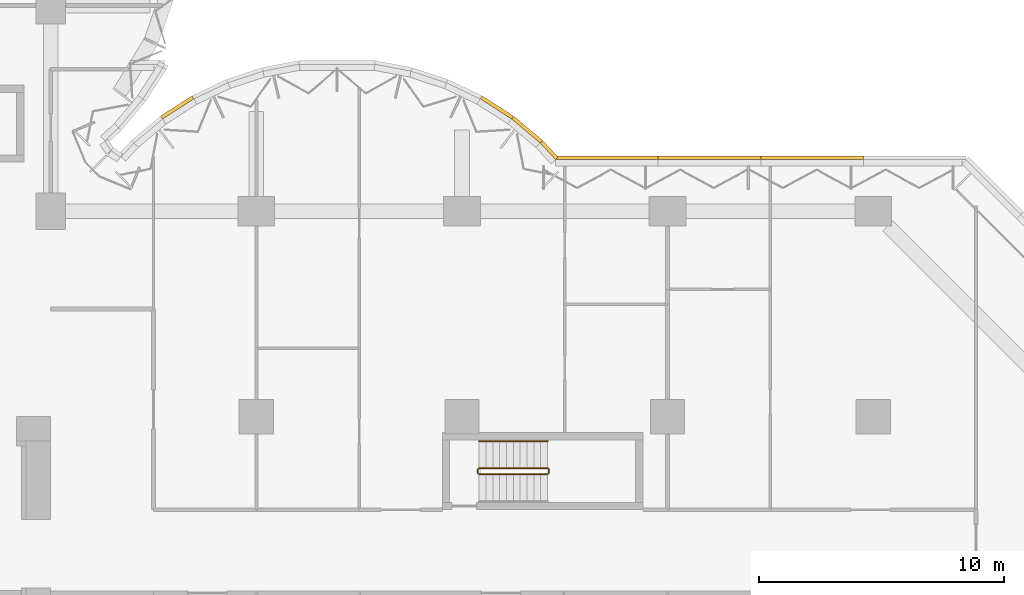
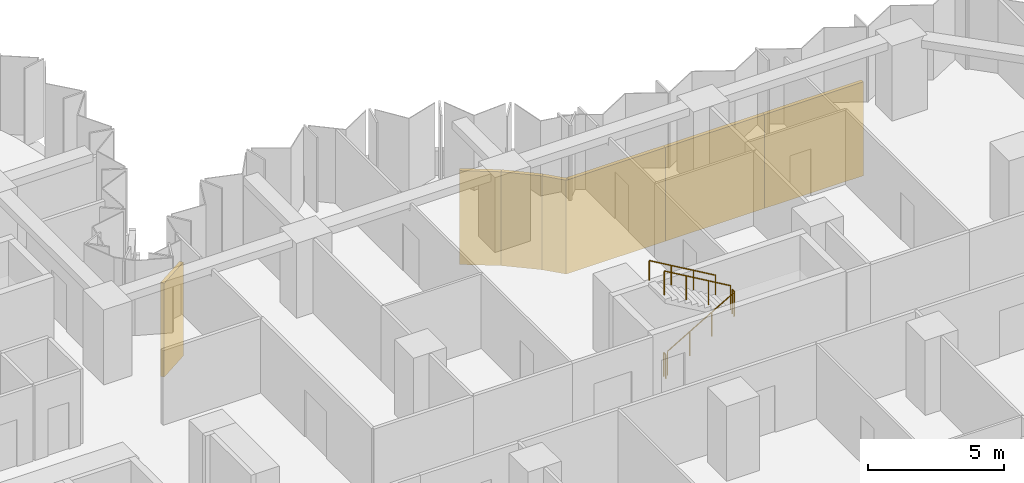
# One storey, part 21 of 24: 7 coverings, 5 railings.
"""IFC4 building model written with IfcOpenShell, lengths in metres."""

from ifc_helpers import new_model, si_unit, direction, frame, origin, origin_2d, place, context, subcontext, project, spatial, polyline, circle, outline, extrude, material, layer, layer_set, type_object, element, save


model = new_model("IFC4")

# Units and contexts
model_context = context("Model", 3, precision=1e-05, world=origin(), true_north=direction((0.0, 1.0)))
body_context = subcontext(model_context, "Body", "Model", "MODEL_VIEW")
ifc_project = project(units=[si_unit("LENGTHUNIT", "METRE"), si_unit("AREAUNIT", "SQUARE_METRE"), si_unit("VOLUMEUNIT", "CUBIC_METRE"), si_unit("PLANEANGLEUNIT", "RADIAN"), si_unit("MASSUNIT", "GRAM", prefix="KILO")], contexts=[model_context])

# Site, building, storey
site_placement = place(None, origin())
site = spatial("IfcSite", under=ifc_project, at=site_placement, CompositionType="ELEMENT")
building_placement = place(site_placement, origin())
building = spatial("IfcBuilding", under=site, at=building_placement, Name="Brevane Broadcast Tower", CompositionType="ELEMENT")
storey_placement = place(building_placement, frame((0.0, 0.0, 36.5)))
storey = spatial("IfcBuildingStorey", under=building, at=storey_placement, Name="L06", CompositionType="ELEMENT", Elevation=36.5)

# Coverings
ifc_material_1 = material(Name="Precast concrete C40/50", Category="concrete")
ifc_layer = layer(ifc_material_1, 0.14990234375)
ifc_layer_set = layer_set([ifc_layer], Name="CORNICE FASCIA CLADDING 4200")
covering_type = type_object("IfcCoveringType", Name="CORNICE FASCIA CLADDING 4200", PredefinedType="CLADDING", material=ifc_layer_set)
covering_1_placement = place(storey_placement, frame((0.0, 0.0, -4.199951171875)))
element("IfcCovering", 1, at=covering_1_placement, inside=storey, type_object=covering_type, Name="Cornice fascia", PredefinedType="CLADDING", context=body_context, shape_type="SweptSolid", body=[
    extrude(outline(polyline([(29.769775390625, 28.959716796875), (31.052978515625, 29.784912109375), (30.9716796875, 29.910888671875), (29.688720703125, 29.0859375), (29.769775390625, 28.959716796875)])), origin(), (0.0, 0.0, 1.0), 4.199951171875),
])
covering_2_placement = place(storey_placement, frame((0.0, 0.0, -4.199951171875)))
element("IfcCovering", 2, at=covering_2_placement, inside=storey, type_object=covering_type, Name="Cornice fascia", PredefinedType="CLADDING", context=body_context, shape_type="SweptSolid", body=[
    extrude(outline(polyline([(42.7470703125, 29.784912109375), (44.0302734375, 28.959716796875), (44.111328125, 29.0859375), (42.828125, 29.910888671875), (42.7470703125, 29.784912109375)])), origin(), (0.0, 0.0, 1.0), 4.199951171875),
])
covering_3_placement = place(storey_placement, frame((0.0, 0.0, -4.199951171875)))
element("IfcCovering", 3, at=covering_3_placement, inside=storey, type_object=covering_type, Name="Cornice fascia", PredefinedType="CLADDING", context=body_context, shape_type="SweptSolid", body=[
    extrude(outline(polyline([(44.0302734375, 28.959716796875), (45.19873046875, 27.97900390625), (45.295166015625, 28.09375), (44.126708984375, 29.07470703125), (44.0302734375, 28.959716796875)])), origin(), (0.0, 0.0, 1.0), 4.199951171875),
])
covering_4_placement = place(storey_placement, frame((0.0, 0.0, -4.199951171875)))
element("IfcCovering", 4, at=covering_4_placement, inside=storey, type_object=covering_type, Name="Cornice fascia", PredefinedType="CLADDING", context=body_context, shape_type="SweptSolid", body=[
    extrude(outline(polyline([(45.19873046875, 27.97900390625), (45.825439453125, 27.300048828125), (45.935546875, 27.401611328125), (45.308837890625, 28.08056640625), (45.19873046875, 27.97900390625)])), origin(), (0.0, 0.0, 1.0), 4.199951171875),
])
covering_5_placement = place(storey_placement, frame((0.0, 0.0, -4.199951171875)))
element("IfcCovering", 5, at=covering_5_placement, inside=storey, type_object=covering_type, Name="Cornice fascia", PredefinedType="CLADDING", context=body_context, shape_type="SweptSolid", body=[
    extrude(outline(polyline([(45.825439453125, 27.300048828125), (50.018310546875, 27.300048828125), (50.018310546875, 27.449951171875), (45.825439453125, 27.449951171875), (45.825439453125, 27.300048828125)])), origin(), (0.0, 0.0, 1.0), 4.199951171875),
])
covering_6_placement = place(storey_placement, frame((0.0, 0.0, -4.199951171875)))
element("IfcCovering", 6, at=covering_6_placement, inside=storey, type_object=covering_type, Name="Cornice fascia", PredefinedType="CLADDING", context=body_context, shape_type="SweptSolid", body=[
    extrude(outline(polyline([(50.018310546875, 27.300048828125), (54.211181640625, 27.300048828125), (54.211181640625, 27.449951171875), (50.018310546875, 27.449951171875), (50.018310546875, 27.300048828125)])), origin(), (0.0, 0.0, 1.0), 4.199951171875),
])
covering_7_placement = place(storey_placement, frame((0.0, 0.0, -4.199951171875)))
element("IfcCovering", 7, at=covering_7_placement, inside=storey, type_object=covering_type, Name="Cornice fascia", PredefinedType="CLADDING", context=body_context, shape_type="SweptSolid", body=[
    extrude(outline(polyline([(54.211181640625, 27.300048828125), (58.404052734375, 27.300048828125), (58.404052734375, 27.449951171875), (54.211181640625, 27.449951171875), (54.211181640625, 27.300048828125)])), origin(), (0.0, 0.0, 1.0), 4.199951171875),
])

# Railings
ifc_material_2 = material(Name="Steel S355", Category="steel")
railing_type_1 = type_object("IfcRailingType", Name="Exit stair guard", PredefinedType="GUARDRAIL", material=ifc_material_2)
railing_1_placement = place(storey_placement, frame((42.699951171875, 14.449951171875, 0.16357421875)))
element("IfcRailing", 8, at=railing_1_placement, inside=storey, type_object=railing_type_1, Name="L06 ST-4 stair guard 1", PredefinedType="GUARDRAIL", context=body_context, shape_type="SweptSolid", body=[
    extrude(circle(Radius=0.02392578125, at=origin_2d()), frame((0.0, 0.0, 1.076171875), z_axis=(0.863360870873, 0.0, 0.504586966384), x_axis=(0.0, 1.0, 0.0)), (0.0, 0.0, 1.0), 3.2431640625),
    extrude(circle(Radius=0.02099609375, at=origin_2d()), origin(), (0.0, 0.0, 1.0), 1.052001953125),
    extrude(circle(Radius=0.02099609375, at=origin_2d()), frame((0.933349609375, 0.0, 0.54541015625)), (0.0, 0.0, 1.0), 1.052001953125),
    extrude(circle(Radius=0.02099609375, at=origin_2d()), frame((1.86669921875, 0.0, 1.091064453125)), (0.0, 0.0, 1.0), 1.052001953125),
    extrude(circle(Radius=0.02099609375, at=origin_2d()), frame((2.800048828125, 0.0, 1.636474609375)), (0.0, 0.0, 1.0), 1.052001953125),
])
railing_2_placement = place(storey_placement, frame((45.550048828125, 14.5, 1.800048828125)))
element("IfcRailing", 9, at=railing_2_placement, inside=storey, type_object=railing_type_1, Name="L06 ST-4 stair guard 2", PredefinedType="GUARDRAIL", context=body_context, shape_type="SweptSolid", body=[
    extrude(circle(Radius=0.02392578125, at=origin_2d()), frame((0.0, 0.0, 1.076171875), z_axis=(0.0, 1.0, 0.0), x_axis=(-1.0, 0.0, 0.0)), (0.0, 0.0, 1.0), 0.14990234375),
    extrude(circle(Radius=0.02099609375, at=origin_2d()), origin(), (0.0, 0.0, 1.0), 1.052001953125),
    extrude(circle(Radius=0.02099609375, at=origin_2d()), frame((0.0, 0.14990234375, 0.0)), (0.0, 0.0, 1.0), 1.052001953125),
])
railing_3_placement = place(storey_placement, frame((45.5, 14.699951171875, 1.963623046875)))
element("IfcRailing", 10, at=railing_3_placement, inside=storey, type_object=railing_type_1, Name="L06 ST-4 stair guard 3", PredefinedType="GUARDRAIL", context=body_context, shape_type="SweptSolid", body=[
    extrude(circle(Radius=0.02392578125, at=origin_2d()), frame((0.0, 0.0, 1.076171875), z_axis=(-0.863360870873, 0.0, 0.504586966384), x_axis=(0.0, -1.0, 0.0)), (0.0, 0.0, 1.0), 3.2431640625),
    extrude(circle(Radius=0.02099609375, at=origin_2d()), origin(), (0.0, 0.0, 1.0), 1.052001953125),
    extrude(circle(Radius=0.02099609375, at=origin_2d()), frame((-0.933349609375, 0.0, 0.54541015625)), (0.0, 0.0, 1.0), 1.052001953125),
    extrude(circle(Radius=0.02099609375, at=origin_2d()), frame((-1.86669921875, 0.0, 1.091064453125)), (0.0, 0.0, 1.0), 1.052001953125),
    extrude(circle(Radius=0.02099609375, at=origin_2d()), frame((-2.800048828125, 0.0, 1.636474609375)), (0.0, 0.0, 1.0), 1.052001953125),
])
railing_4_placement = place(storey_placement, frame((42.64990234375, 14.5, 0.0)))
element("IfcRailing", 11, at=railing_4_placement, inside=storey, type_object=railing_type_1, Name="L06 ST-4 stair guard 4", PredefinedType="GUARDRAIL", context=body_context, shape_type="SweptSolid", body=[
    extrude(circle(Radius=0.02392578125, at=origin_2d()), frame((0.0, 0.0, 1.076171875), z_axis=(0.0, 1.0, 0.0), x_axis=(-1.0, 0.0, 0.0)), (0.0, 0.0, 1.0), 0.14990234375),
    extrude(circle(Radius=0.02099609375, at=origin_2d()), origin(), (0.0, 0.0, 1.0), 1.052001953125),
    extrude(circle(Radius=0.02099609375, at=origin_2d()), frame((0.0, 0.14990234375, 0.0)), (0.0, 0.0, 1.0), 1.052001953125),
])
railing_type_2 = type_object("IfcRailingType", Name="Exit stair handrail", PredefinedType="HANDRAIL", material=ifc_material_2)
railing_5_placement = place(storey_placement, frame((45.5, 15.800048828125, 1.963623046875)))
element("IfcRailing", 12, at=railing_5_placement, inside=storey, type_object=railing_type_2, Name="L06 ST-4 stair handrail 2", PredefinedType="HANDRAIL", context=body_context, shape_type="SweptSolid", body=[
    extrude(circle(Radius=0.02392578125, at=origin_2d()), frame((0.0, 0.0, 0.8759765625), z_axis=(-0.863360870873, 0.0, 0.504586966384), x_axis=(0.0, -1.0, 0.0)), (0.0, 0.0, 1.0), 3.2431640625),
    extrude(circle(Radius=0.02099609375, at=origin_2d()), origin(), (0.0, 0.0, 1.0), 0.851806640625),
    extrude(circle(Radius=0.02099609375, at=origin_2d()), frame((-0.933349609375, 0.0, 0.54541015625)), (0.0, 0.0, 1.0), 0.851806640625),
    extrude(circle(Radius=0.02099609375, at=origin_2d()), frame((-1.86669921875, 0.0, 1.091064453125)), (0.0, 0.0, 1.0), 0.851806640625),
    extrude(circle(Radius=0.02099609375, at=origin_2d()), frame((-2.800048828125, 0.0, 1.636474609375)), (0.0, 0.0, 1.0), 0.851806640625),
])

save(model, "model.ifc")
